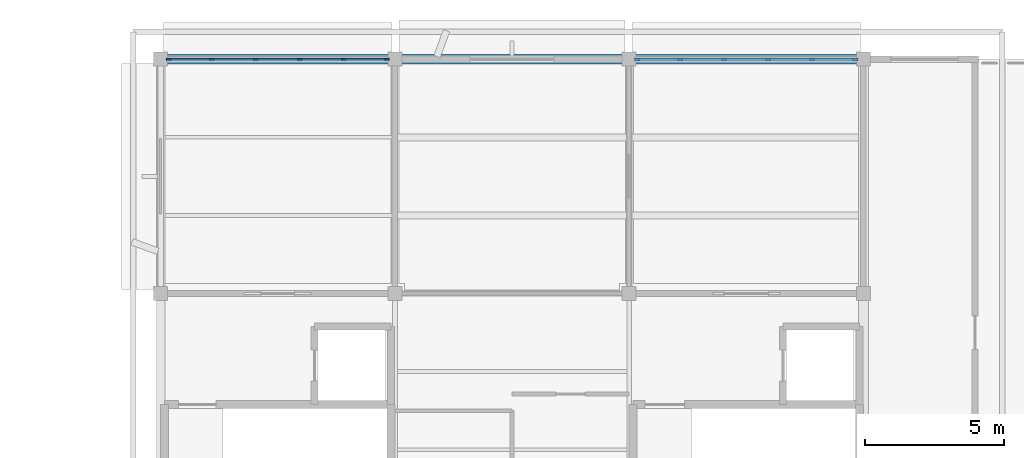
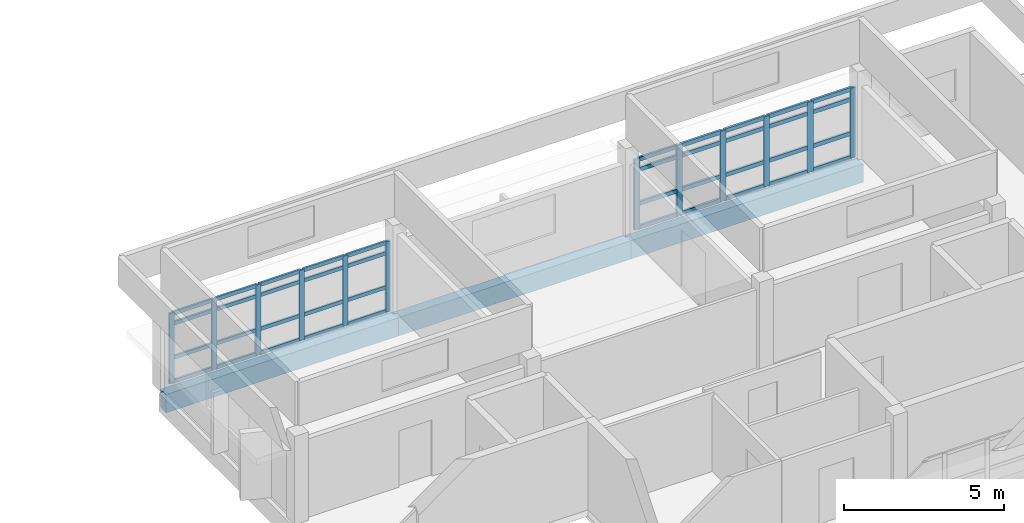
# One storey, part 5 of 14: 52 members, 3 beams, 2 elements without a shape of their own.
"""IFC4 building model written with IfcOpenShell, lengths in metres."""

import ifcopenshell
import ifcopenshell.guid

model = None  # the IFC model being written
_history = None  # IfcOwnerHistory: only IFC2X3 demands one
_inside = {}  # id of a spatial element -> (the spatial element, [elements in it])
_under = {}  # id of a project, library or spatial element -> (it, [spatial elements below it])
_declared = {}  # id of a project -> (the project, [libraries it declares])
_typed = {}  # id of a type object -> (the type object, [elements of that type])
_made_of = {}  # id of a material, layer set ... -> (it, [elements and type objects made of it])


def new_model(schema):
    """Start an empty IFC model of exactly this schema.

    Asked for "IFC4X3", IfcOpenShell would pick the latest addendum, in which some entities
    have other attributes; the version numbers below select the first issue.
    IFC2X3 requires an IfcOwnerHistory on every rooted entity: one is made here for all.
    """
    global model, _history
    if schema == "IFC4X3":
        model = ifcopenshell.file(schema_version=(4, 3, 0, 0))
    else:
        model = ifcopenshell.file(schema=schema)
    _inside.clear()
    _under.clear()
    _declared.clear()
    _typed.clear()
    _made_of.clear()
    _history = None
    if model.schema == "IFC2X3":
        org = make("IfcOrganization", Name="unknown")
        user = make(
            "IfcPersonAndOrganization",
            ThePerson=make("IfcPerson", FamilyName="unknown"),
            TheOrganization=org,
        )
        app = make(
            "IfcApplication",
            ApplicationDeveloper=org,
            Version="unknown",
            ApplicationFullName="unknown",
            ApplicationIdentifier="unknown",
        )
        _history = make(
            "IfcOwnerHistory",
            OwningUser=user,
            OwningApplication=app,
            ChangeAction="ADDED",
            CreationDate=0,
        )
    return model


def make(cls, **values):
    """One entity of the class cls with the attributes given. An attribute that is None is left unset."""
    return model.create_entity(
        cls, **{name: value for name, value in values.items() if value is not None}
    )


def rooted(cls, **values):
    """An entity with a GlobalId (a new one), such as an element, a storey or a relation."""
    return make(cls, GlobalId=ifcopenshell.guid.new(), OwnerHistory=_history, **values)


def si_unit(unit_type, name, prefix=None):
    """IfcSIUnit, for example si_unit("LENGTHUNIT", "METRE", prefix="MILLI")."""
    return make("IfcSIUnit", UnitType=unit_type, Prefix=prefix, Name=name)


def assignment(units):
    """IfcUnitAssignment: the units of a project."""
    return None if units is None else make("IfcUnitAssignment", Units=units)


def point(xyz):
    """IfcCartesianPoint."""
    return None if xyz is None else make("IfcCartesianPoint", Coordinates=xyz)


def direction(xyz):
    """IfcDirection."""
    return None if xyz is None else make("IfcDirection", DirectionRatios=xyz)


def frame(location, z_axis=None, x_axis=None):
    """IfcAxis2Placement3D, a coordinate frame: its origin and axes. An axis left out is left unset."""
    return make(
        "IfcAxis2Placement3D",
        Location=point(location),
        Axis=direction(z_axis),
        RefDirection=direction(x_axis),
    )


def frame_2d(location, x_axis=None):
    """IfcAxis2Placement2D, a coordinate frame in the plane: its origin and x axis."""
    return make(
        "IfcAxis2Placement2D", Location=point(location), RefDirection=direction(x_axis)
    )


def origin():
    """The frame at (0, 0, 0) with its axes left unset."""
    return frame((0.0, 0.0, 0.0))


def origin_2d():
    """The frame at (0, 0) in the plane with its x axis left unset."""
    return frame_2d((0.0, 0.0))


def place(relative_to, where):
    """IfcLocalPlacement: puts the frame where relative to a parent placement (None: the world)."""
    return make(
        "IfcLocalPlacement", PlacementRelTo=relative_to, RelativePlacement=where
    )


def context(
    kind, dimensions, precision=None, world=None, true_north=None, identifier=None
):
    """IfcGeometricRepresentationContext, for example the 3D "Model" context."""
    return make(
        "IfcGeometricRepresentationContext",
        ContextIdentifier=identifier,
        ContextType=kind,
        CoordinateSpaceDimension=dimensions,
        Precision=precision,
        WorldCoordinateSystem=world,
        TrueNorth=true_north,
    )


def subcontext(parent, identifier, kind, view, scale=None):
    """IfcGeometricRepresentationSubContext, for example "Body" below "Model"."""
    return make(
        "IfcGeometricRepresentationSubContext",
        ContextIdentifier=identifier,
        ContextType=kind,
        ParentContext=parent,
        TargetScale=scale,
        TargetView=view,
    )


def project(units=None, contexts=None):
    """IfcProject with its units and contexts."""
    return rooted(
        "IfcProject",
        Name="project",
        RepresentationContexts=contexts,
        UnitsInContext=assignment(units),
    )


def spatial(cls, under=None, at=None, **own):
    """A site, building, storey or space (cls), placed at a placement, below another one or the project."""
    s = rooted(cls, ObjectPlacement=at, **own)
    if under is not None:
        _under.setdefault(under.id(), (under, []))[1].append(s)
    return s


def profile(cls, at=None, kind="AREA", **sizes):
    """A parametric profile (cls). Its sizes go by their IFC names, for example OverallWidth=200.0."""
    return make(cls, ProfileType=kind, Position=at, **sizes)


def rectangle(**sizes):
    """IfcRectangleProfileDef."""
    return profile("IfcRectangleProfileDef", **sizes)


def extrude(swept, where, along, depth):
    """IfcExtrudedAreaSolid: the profile swept, set in the frame where, extruded along a direction by depth."""
    return make(
        "IfcExtrudedAreaSolid",
        SweptArea=swept,
        Position=where,
        ExtrudedDirection=direction(along),
        Depth=depth,
    )


def shape(context_of_items, identifier, shape_type, items):
    """IfcShapeRepresentation: the items that make up one representation, for example the "Body"."""
    return make(
        "IfcShapeRepresentation",
        ContextOfItems=context_of_items,
        RepresentationIdentifier=identifier,
        RepresentationType=shape_type,
        Items=items,
    )


def material(Name=None, Category=None):
    """IfcMaterial."""
    return make("IfcMaterial", Name=Name, Category=Category)


def material_profile(
    of_material, cross_section, Name=None, Category=None, Priority=None
):
    """IfcMaterialProfile: a cross section and its material."""
    return make(
        "IfcMaterialProfile",
        Name=Name,
        Material=of_material,
        Profile=cross_section,
        Priority=Priority,
        Category=Category,
    )


def profile_set(profiles, Name=None, composite=None):
    """IfcMaterialProfileSet."""
    return make(
        "IfcMaterialProfileSet",
        Name=Name,
        MaterialProfiles=profiles,
        CompositeProfile=composite,
    )


def made_of(thing, what):
    """Note that an element or type object is made of a material, layer set ...; save() writes the relation."""
    if what is not None:
        _made_of.setdefault(what.id(), (what, []))[1].append(thing)
    return thing


def type_object(cls, material=None, **own):
    """A type object (cls), such as IfcWallType, which elements share."""
    return made_of(rooted(cls, **own), material)


def element(
    cls,
    number,
    at=None,
    inside=None,
    cuts=None,
    type_object=None,
    material=None,
    context=None,
    identifier="Body",
    shape_type=None,
    held_by="IfcProductDefinitionShape",
    body=None,
    shapes=None,
    **own,
):
    """One element of the class cls, such as IfcWall. Its Tag is "e" and its number.

    at: its placement. inside: the storey or other place that contains it. cuts: it is an
    opening in that element (IfcRelVoidsElement). A single representation is given by context,
    identifier, shape_type and body (its items); several are given by shapes. held_by: the class
    of the entity that holds the representations. save() writes the other relations.
    """
    e = rooted(cls, Tag="e%d" % number, ObjectPlacement=at, **own)
    if body is not None:
        shapes = [shape(context, identifier, shape_type, body)]
    if shapes is not None:
        e.Representation = make(held_by, Representations=shapes)
    if inside is not None:
        _inside.setdefault(inside.id(), (inside, []))[1].append(e)
    if cuts is not None:
        rooted(
            "IfcRelVoidsElement", RelatingBuildingElement=cuts, RelatedOpeningElement=e
        )
    if type_object is not None:
        _typed.setdefault(type_object.id(), (type_object, []))[1].append(e)
    return made_of(e, material)


def aggregate(whole, parts):
    """IfcRelAggregates: a whole, such as a stair, and the parts it consists of."""
    return rooted("IfcRelAggregates", RelatingObject=whole, RelatedObjects=parts)


def save(model, path):
    """Write the relations noted so far, then the file.

    IfcRelAggregates (storeys below a building ...), IfcRelContainedInSpatialStructure (elements
    in a storey), IfcRelDefinesByType, IfcRelAssociatesMaterial and IfcRelDeclares: one each for
    every whole, place, type object, material and project.
    """
    for whole, parts in _under.values():
        aggregate(whole, parts)
    for where, things in _inside.values():
        rooted(
            "IfcRelContainedInSpatialStructure",
            RelatedElements=things,
            RelatingStructure=where,
        )
    for kind, things in _typed.values():
        rooted("IfcRelDefinesByType", RelatedObjects=things, RelatingType=kind)
    for what, things in _made_of.values():
        rooted("IfcRelAssociatesMaterial", RelatedObjects=things, RelatingMaterial=what)
    for by, libraries in _declared.values():
        rooted("IfcRelDeclares", RelatingContext=by, RelatedDefinitions=libraries)
    model.write(path)


model = new_model("IFC4")

# Units and contexts
model_context = context("Model", 3, precision=1e-05, world=origin(), true_north=direction((0.0, 1.0)))
body_context = subcontext(model_context, "Body", "Model", "MODEL_VIEW")
ifc_project = project(units=[si_unit("LENGTHUNIT", "METRE"), si_unit("AREAUNIT", "SQUARE_METRE"), si_unit("VOLUMEUNIT", "CUBIC_METRE"), si_unit("PLANEANGLEUNIT", "RADIAN"), si_unit("MASSUNIT", "GRAM", prefix="KILO")], contexts=[model_context])

# Site, building, storey
site_placement = place(None, origin())
site = spatial("IfcSite", under=ifc_project, at=site_placement, CompositionType="ELEMENT")
building_placement = place(site_placement, origin())
building = spatial("IfcBuilding", under=site, at=building_placement, Name="Vanh Quang Courtyard School", CompositionType="ELEMENT")
storey_placement = place(building_placement, frame((0.0, 0.0, 22.199951171875)))
storey = spatial("IfcBuildingStorey", under=building, at=storey_placement, Name="L06", CompositionType="ELEMENT", Elevation=22.199951171875)

# Beams
ifc_material_1 = material(Name="Concrete C35/45", Category="concrete")
ifc_material_profile_1 = material_profile(ifc_material_1, rectangle(XDim=0.35009765625, YDim=0.699951171875, at=origin_2d()), Name="RC-BM 350x700")
ifc_profile_set_1 = profile_set([ifc_material_profile_1], Name="Concrete C35/45")
beam_type = type_object("IfcBeamType", Name="BM-RC-350x700", PredefinedType="BEAM", material=ifc_profile_set_1)
beam_1_placement = place(storey_placement, frame((77.39990234375, 96.60009765625, -0.599853515625), z_axis=(1.0, 0.0, 0.0), x_axis=(0.0, 1.0, 0.0)))
element("IfcBeam", 1, at=beam_1_placement, inside=storey, type_object=beam_type, Name="Beam B-04 (L06)", PredefinedType="BEAM", context=body_context, shape_type="SweptSolid", body=[
    extrude(rectangle(XDim=0.35009765625, YDim=0.699951171875, at=origin_2d()), origin(), (0.0, 0.0, 1.0), 8.400146484375),
])
beam_2_placement = place(storey_placement, frame((85.800048828125, 96.60009765625, -0.599853515625), z_axis=(1.0, 0.0, 0.0), x_axis=(0.0, 1.0, 0.0)))
element("IfcBeam", 2, at=beam_2_placement, inside=storey, type_object=beam_type, Name="Beam B-04 (L06)", PredefinedType="BEAM", context=body_context, shape_type="SweptSolid", body=[
    extrude(rectangle(XDim=0.35009765625, YDim=0.699951171875, at=origin_2d()), origin(), (0.0, 0.0, 1.0), 8.39990234375),
])
beam_3_placement = place(storey_placement, frame((94.199951171875, 96.60009765625, -0.599853515625), z_axis=(1.0, 0.0, 0.0), x_axis=(0.0, 1.0, 0.0)))
element("IfcBeam", 3, at=beam_3_placement, inside=storey, type_object=beam_type, Name="Beam B-04 (L06)", PredefinedType="BEAM", context=body_context, shape_type="SweptSolid", body=[
    extrude(rectangle(XDim=0.35009765625, YDim=0.699951171875, at=origin_2d()), origin(), (0.0, 0.0, 1.0), 8.400146484375),
])

# Curtain wall, members
ifc_material_2 = material(Name="Thermally broken aluminium unitised curtain wall", Category="aluminium")
curtain_wall_type = type_object("IfcCurtainWallType", Name="CW-SYS-23", PredefinedType="NOTDEFINED", material=ifc_material_2)
curtain_wall_1_placement = place(storey_placement, origin())
curtain_wall_1 = element("IfcCurtainWall", 4, at=curtain_wall_1_placement, inside=storey, type_object=curtain_wall_type, Name="Curtain Wall CW-23 (L06)", PredefinedType="NOTDEFINED")
ifc_material_3 = material(Name="Anodised aluminium 6063-T6", Category="aluminium")
ifc_material_profile_2 = material_profile(ifc_material_3, rectangle(XDim=0.070068359375, YDim=0.179931640625, at=origin_2d()), Name="ALU-MUL 70x180")
ifc_profile_set_2 = profile_set([ifc_material_profile_2], Name="Anodised aluminium 6063-T6")
member_type_1 = type_object("IfcMemberType", Name="CW-MUL-70x180", PredefinedType="MULLION", material=ifc_profile_set_2)
member_1_placement = place(storey_placement, frame((77.693115234375, 96.60009765625, 0.0), z_axis=(0.0, 0.0, 1.0), x_axis=(0.0, 1.0, 0.0)))
member_1 = element("IfcMember", 5, at=member_1_placement, type_object=member_type_1, Name="CW-23 mullion 1", PredefinedType="MULLION", context=body_context, shape_type="SweptSolid", body=[
    extrude(rectangle(XDim=0.070068359375, YDim=0.179931640625, at=origin_2d()), origin(), (0.0, 0.0, 1.0), 2.679931640625),
])
member_2_placement = place(storey_placement, frame((79.23486328125, 96.60009765625, 0.0), z_axis=(0.0, 0.0, 1.0), x_axis=(0.0, 1.0, 0.0)))
member_2 = element("IfcMember", 6, at=member_2_placement, type_object=member_type_1, Name="CW-23 mullion 2", PredefinedType="MULLION", context=body_context, shape_type="SweptSolid", body=[
    extrude(rectangle(XDim=0.070068359375, YDim=0.179931640625, at=origin_2d()), origin(), (0.0, 0.0, 1.0), 2.679931640625),
])
member_3_placement = place(storey_placement, frame((80.8115234375, 96.60009765625, 0.0), z_axis=(0.0, 0.0, 1.0), x_axis=(0.0, 1.0, 0.0)))
member_3 = element("IfcMember", 7, at=member_3_placement, type_object=member_type_1, Name="CW-23 mullion 3", PredefinedType="MULLION", context=body_context, shape_type="SweptSolid", body=[
    extrude(rectangle(XDim=0.070068359375, YDim=0.179931640625, at=origin_2d()), origin(), (0.0, 0.0, 1.0), 2.679931640625),
])
member_4_placement = place(storey_placement, frame((82.388427734375, 96.60009765625, 0.0), z_axis=(0.0, 0.0, 1.0), x_axis=(0.0, 1.0, 0.0)))
member_4 = element("IfcMember", 8, at=member_4_placement, type_object=member_type_1, Name="CW-23 mullion 4", PredefinedType="MULLION", context=body_context, shape_type="SweptSolid", body=[
    extrude(rectangle(XDim=0.070068359375, YDim=0.179931640625, at=origin_2d()), origin(), (0.0, 0.0, 1.0), 2.679931640625),
])
member_5_placement = place(storey_placement, frame((83.965087890625, 96.60009765625, 0.0), z_axis=(0.0, 0.0, 1.0), x_axis=(0.0, 1.0, 0.0)))
member_5 = element("IfcMember", 9, at=member_5_placement, type_object=member_type_1, Name="CW-23 mullion 5", PredefinedType="MULLION", context=body_context, shape_type="SweptSolid", body=[
    extrude(rectangle(XDim=0.070068359375, YDim=0.179931640625, at=origin_2d()), origin(), (0.0, 0.0, 1.0), 2.679931640625),
])
member_6_placement = place(storey_placement, frame((85.507080078125, 96.60009765625, 0.0), z_axis=(0.0, 0.0, 1.0), x_axis=(0.0, 1.0, 0.0)))
member_6 = element("IfcMember", 10, at=member_6_placement, type_object=member_type_1, Name="CW-23 mullion 6", PredefinedType="MULLION", context=body_context, shape_type="SweptSolid", body=[
    extrude(rectangle(XDim=0.070068359375, YDim=0.179931640625, at=origin_2d()), origin(), (0.0, 0.0, 1.0), 2.679931640625),
])

curtain_wall_2_placement = place(storey_placement, origin())
curtain_wall_2 = element("IfcCurtainWall", 11, at=curtain_wall_2_placement, inside=storey, type_object=curtain_wall_type, Name="Curtain Wall CW-23 (L06)", PredefinedType="NOTDEFINED")
ifc_material_profile_3 = material_profile(ifc_material_3, rectangle(XDim=0.080078125, YDim=0.199951171875, at=origin_2d()), Name="ALU-MUL 80x200")
ifc_profile_set_3 = profile_set([ifc_material_profile_3], Name="Anodised aluminium 6063-T6")
member_type_2 = type_object("IfcMemberType", Name="CW-MUL-80x200", PredefinedType="MULLION", material=ifc_profile_set_3)
member_7_placement = place(storey_placement, frame((94.498046875, 96.60009765625, 0.0), z_axis=(0.0, 0.0, 1.0), x_axis=(0.0, 1.0, 0.0)))
member_7 = element("IfcMember", 12, at=member_7_placement, type_object=member_type_2, Name="CW-23 mullion 1", PredefinedType="MULLION", context=body_context, shape_type="SweptSolid", body=[
    extrude(rectangle(XDim=0.080078125, YDim=0.199951171875, at=origin_2d()), origin(), (0.0, 0.0, 1.0), 2.679931640625),
])
member_8_placement = place(storey_placement, frame((96.034912109375, 96.60009765625, 0.0), z_axis=(0.0, 0.0, 1.0), x_axis=(0.0, 1.0, 0.0)))
member_8 = element("IfcMember", 13, at=member_8_placement, type_object=member_type_2, Name="CW-23 mullion 2", PredefinedType="MULLION", context=body_context, shape_type="SweptSolid", body=[
    extrude(rectangle(XDim=0.080078125, YDim=0.199951171875, at=origin_2d()), origin(), (0.0, 0.0, 1.0), 2.679931640625),
])
member_9_placement = place(storey_placement, frame((97.611572265625, 96.60009765625, 0.0), z_axis=(0.0, 0.0, 1.0), x_axis=(0.0, 1.0, 0.0)))
member_9 = element("IfcMember", 14, at=member_9_placement, type_object=member_type_2, Name="CW-23 mullion 3", PredefinedType="MULLION", context=body_context, shape_type="SweptSolid", body=[
    extrude(rectangle(XDim=0.080078125, YDim=0.199951171875, at=origin_2d()), origin(), (0.0, 0.0, 1.0), 2.679931640625),
])
member_10_placement = place(storey_placement, frame((99.1884765625, 96.60009765625, 0.0), z_axis=(0.0, 0.0, 1.0), x_axis=(0.0, 1.0, 0.0)))
member_10 = element("IfcMember", 15, at=member_10_placement, type_object=member_type_2, Name="CW-23 mullion 4", PredefinedType="MULLION", context=body_context, shape_type="SweptSolid", body=[
    extrude(rectangle(XDim=0.080078125, YDim=0.199951171875, at=origin_2d()), origin(), (0.0, 0.0, 1.0), 2.679931640625),
])
member_11_placement = place(storey_placement, frame((100.76513671875, 96.60009765625, 0.0), z_axis=(0.0, 0.0, 1.0), x_axis=(0.0, 1.0, 0.0)))
member_11 = element("IfcMember", 16, at=member_11_placement, type_object=member_type_2, Name="CW-23 mullion 5", PredefinedType="MULLION", context=body_context, shape_type="SweptSolid", body=[
    extrude(rectangle(XDim=0.080078125, YDim=0.199951171875, at=origin_2d()), origin(), (0.0, 0.0, 1.0), 2.679931640625),
])
member_12_placement = place(storey_placement, frame((102.302001953125, 96.60009765625, 0.0), z_axis=(0.0, 0.0, 1.0), x_axis=(0.0, 1.0, 0.0)))
member_12 = element("IfcMember", 17, at=member_12_placement, type_object=member_type_2, Name="CW-23 mullion 6", PredefinedType="MULLION", context=body_context, shape_type="SweptSolid", body=[
    extrude(rectangle(XDim=0.080078125, YDim=0.199951171875, at=origin_2d()), origin(), (0.0, 0.0, 1.0), 2.679931640625),
])

# Member
ifc_material_profile_4 = material_profile(ifc_material_3, rectangle(XDim=0.070068359375, YDim=0.139892578125, at=origin_2d()), Name="ALU-TRN 70x140")
ifc_profile_set_4 = profile_set([ifc_material_profile_4], Name="Anodised aluminium 6063-T6")
member_type_3 = type_object("IfcMemberType", Name="CW-TRN-70x140", PredefinedType="USERDEFINED", material=ifc_profile_set_4)
member_13_placement = place(storey_placement, frame((77.72802734375, 96.60009765625, 0.03515625), z_axis=(1.0, 0.0, 0.0), x_axis=(0.0, 1.0, 0.0)))
member_13 = element("IfcMember", 18, at=member_13_placement, type_object=member_type_3, Name="CW-23 transom 1.1", ObjectType="TRANSOM", PredefinedType="USERDEFINED", context=body_context, shape_type="SweptSolid", body=[
    extrude(rectangle(XDim=0.070068359375, YDim=0.139892578125, at=origin_2d()), origin(), (0.0, 0.0, 1.0), 1.4716796875),
])

member_14_placement = place(storey_placement, frame((77.72802734375, 96.60009765625, 0.949951171875), z_axis=(1.0, 0.0, 0.0), x_axis=(0.0, 1.0, 0.0)))
member_14 = element("IfcMember", 19, at=member_14_placement, type_object=member_type_3, Name="CW-23 transom 1.2", ObjectType="TRANSOM", PredefinedType="USERDEFINED", context=body_context, shape_type="SweptSolid", body=[
    extrude(rectangle(XDim=0.070068359375, YDim=0.139892578125, at=origin_2d()), origin(), (0.0, 0.0, 1.0), 1.4716796875),
])

member_15_placement = place(storey_placement, frame((77.72802734375, 96.60009765625, 2.25), z_axis=(1.0, 0.0, 0.0), x_axis=(0.0, 1.0, 0.0)))
member_15 = element("IfcMember", 20, at=member_15_placement, type_object=member_type_3, Name="CW-23 transom 1.3", ObjectType="TRANSOM", PredefinedType="USERDEFINED", context=body_context, shape_type="SweptSolid", body=[
    extrude(rectangle(XDim=0.070068359375, YDim=0.139892578125, at=origin_2d()), origin(), (0.0, 0.0, 1.0), 1.4716796875),
])

member_16_placement = place(storey_placement, frame((77.72802734375, 96.60009765625, 2.64501953125), z_axis=(1.0, 0.0, 0.0), x_axis=(0.0, 1.0, 0.0)))
member_16 = element("IfcMember", 21, at=member_16_placement, type_object=member_type_3, Name="CW-23 transom 1.4", ObjectType="TRANSOM", PredefinedType="USERDEFINED", context=body_context, shape_type="SweptSolid", body=[
    extrude(rectangle(XDim=0.070068359375, YDim=0.139892578125, at=origin_2d()), origin(), (0.0, 0.0, 1.0), 1.4716796875),
])

member_17_placement = place(storey_placement, frame((79.269775390625, 96.60009765625, 0.03515625), z_axis=(1.0, 0.0, 0.0), x_axis=(0.0, 1.0, 0.0)))
member_17 = element("IfcMember", 22, at=member_17_placement, type_object=member_type_3, Name="CW-23 transom 2.1", ObjectType="TRANSOM", PredefinedType="USERDEFINED", context=body_context, shape_type="SweptSolid", body=[
    extrude(rectangle(XDim=0.070068359375, YDim=0.139892578125, at=origin_2d()), origin(), (0.0, 0.0, 1.0), 1.5068359375),
])

member_18_placement = place(storey_placement, frame((79.269775390625, 96.60009765625, 0.949951171875), z_axis=(1.0, 0.0, 0.0), x_axis=(0.0, 1.0, 0.0)))
member_18 = element("IfcMember", 23, at=member_18_placement, type_object=member_type_3, Name="CW-23 transom 2.2", ObjectType="TRANSOM", PredefinedType="USERDEFINED", context=body_context, shape_type="SweptSolid", body=[
    extrude(rectangle(XDim=0.070068359375, YDim=0.139892578125, at=origin_2d()), origin(), (0.0, 0.0, 1.0), 1.5068359375),
])

member_19_placement = place(storey_placement, frame((79.269775390625, 96.60009765625, 2.25), z_axis=(1.0, 0.0, 0.0), x_axis=(0.0, 1.0, 0.0)))
member_19 = element("IfcMember", 24, at=member_19_placement, type_object=member_type_3, Name="CW-23 transom 2.3", ObjectType="TRANSOM", PredefinedType="USERDEFINED", context=body_context, shape_type="SweptSolid", body=[
    extrude(rectangle(XDim=0.070068359375, YDim=0.139892578125, at=origin_2d()), origin(), (0.0, 0.0, 1.0), 1.5068359375),
])

member_20_placement = place(storey_placement, frame((79.269775390625, 96.60009765625, 2.64501953125), z_axis=(1.0, 0.0, 0.0), x_axis=(0.0, 1.0, 0.0)))
member_20 = element("IfcMember", 25, at=member_20_placement, type_object=member_type_3, Name="CW-23 transom 2.4", ObjectType="TRANSOM", PredefinedType="USERDEFINED", context=body_context, shape_type="SweptSolid", body=[
    extrude(rectangle(XDim=0.070068359375, YDim=0.139892578125, at=origin_2d()), origin(), (0.0, 0.0, 1.0), 1.5068359375),
])

member_21_placement = place(storey_placement, frame((80.8466796875, 96.60009765625, 0.03515625), z_axis=(1.0, 0.0, 0.0), x_axis=(0.0, 1.0, 0.0)))
member_21 = element("IfcMember", 26, at=member_21_placement, type_object=member_type_3, Name="CW-23 transom 3.1", ObjectType="TRANSOM", PredefinedType="USERDEFINED", context=body_context, shape_type="SweptSolid", body=[
    extrude(rectangle(XDim=0.070068359375, YDim=0.139892578125, at=origin_2d()), origin(), (0.0, 0.0, 1.0), 1.5068359375),
])

member_22_placement = place(storey_placement, frame((80.8466796875, 96.60009765625, 0.949951171875), z_axis=(1.0, 0.0, 0.0), x_axis=(0.0, 1.0, 0.0)))
member_22 = element("IfcMember", 27, at=member_22_placement, type_object=member_type_3, Name="CW-23 transom 3.2", ObjectType="TRANSOM", PredefinedType="USERDEFINED", context=body_context, shape_type="SweptSolid", body=[
    extrude(rectangle(XDim=0.070068359375, YDim=0.139892578125, at=origin_2d()), origin(), (0.0, 0.0, 1.0), 1.5068359375),
])

member_23_placement = place(storey_placement, frame((80.8466796875, 96.60009765625, 2.25), z_axis=(1.0, 0.0, 0.0), x_axis=(0.0, 1.0, 0.0)))
member_23 = element("IfcMember", 28, at=member_23_placement, type_object=member_type_3, Name="CW-23 transom 3.3", ObjectType="TRANSOM", PredefinedType="USERDEFINED", context=body_context, shape_type="SweptSolid", body=[
    extrude(rectangle(XDim=0.070068359375, YDim=0.139892578125, at=origin_2d()), origin(), (0.0, 0.0, 1.0), 1.5068359375),
])

member_24_placement = place(storey_placement, frame((80.8466796875, 96.60009765625, 2.64501953125), z_axis=(1.0, 0.0, 0.0), x_axis=(0.0, 1.0, 0.0)))
member_24 = element("IfcMember", 29, at=member_24_placement, type_object=member_type_3, Name="CW-23 transom 3.4", ObjectType="TRANSOM", PredefinedType="USERDEFINED", context=body_context, shape_type="SweptSolid", body=[
    extrude(rectangle(XDim=0.070068359375, YDim=0.139892578125, at=origin_2d()), origin(), (0.0, 0.0, 1.0), 1.5068359375),
])

member_25_placement = place(storey_placement, frame((82.42333984375, 96.60009765625, 0.03515625), z_axis=(1.0, 0.0, 0.0), x_axis=(0.0, 1.0, 0.0)))
member_25 = element("IfcMember", 30, at=member_25_placement, type_object=member_type_3, Name="CW-23 transom 4.1", ObjectType="TRANSOM", PredefinedType="USERDEFINED", context=body_context, shape_type="SweptSolid", body=[
    extrude(rectangle(XDim=0.070068359375, YDim=0.139892578125, at=origin_2d()), origin(), (0.0, 0.0, 1.0), 1.5068359375),
])

member_26_placement = place(storey_placement, frame((82.42333984375, 96.60009765625, 0.949951171875), z_axis=(1.0, 0.0, 0.0), x_axis=(0.0, 1.0, 0.0)))
member_26 = element("IfcMember", 31, at=member_26_placement, type_object=member_type_3, Name="CW-23 transom 4.2", ObjectType="TRANSOM", PredefinedType="USERDEFINED", context=body_context, shape_type="SweptSolid", body=[
    extrude(rectangle(XDim=0.070068359375, YDim=0.139892578125, at=origin_2d()), origin(), (0.0, 0.0, 1.0), 1.5068359375),
])

member_27_placement = place(storey_placement, frame((82.42333984375, 96.60009765625, 2.25), z_axis=(1.0, 0.0, 0.0), x_axis=(0.0, 1.0, 0.0)))
member_27 = element("IfcMember", 32, at=member_27_placement, type_object=member_type_3, Name="CW-23 transom 4.3", ObjectType="TRANSOM", PredefinedType="USERDEFINED", context=body_context, shape_type="SweptSolid", body=[
    extrude(rectangle(XDim=0.070068359375, YDim=0.139892578125, at=origin_2d()), origin(), (0.0, 0.0, 1.0), 1.5068359375),
])

member_28_placement = place(storey_placement, frame((82.42333984375, 96.60009765625, 2.64501953125), z_axis=(1.0, 0.0, 0.0), x_axis=(0.0, 1.0, 0.0)))
member_28 = element("IfcMember", 33, at=member_28_placement, type_object=member_type_3, Name="CW-23 transom 4.4", ObjectType="TRANSOM", PredefinedType="USERDEFINED", context=body_context, shape_type="SweptSolid", body=[
    extrude(rectangle(XDim=0.070068359375, YDim=0.139892578125, at=origin_2d()), origin(), (0.0, 0.0, 1.0), 1.5068359375),
])

member_29_placement = place(storey_placement, frame((84.000244140625, 96.60009765625, 0.03515625), z_axis=(1.0, 0.0, 0.0), x_axis=(0.0, 1.0, 0.0)))
member_29 = element("IfcMember", 34, at=member_29_placement, type_object=member_type_3, Name="CW-23 transom 5.1", ObjectType="TRANSOM", PredefinedType="USERDEFINED", context=body_context, shape_type="SweptSolid", body=[
    extrude(rectangle(XDim=0.070068359375, YDim=0.139892578125, at=origin_2d()), origin(), (0.0, 0.0, 1.0), 1.4716796875),
])

member_30_placement = place(storey_placement, frame((84.000244140625, 96.60009765625, 0.949951171875), z_axis=(1.0, 0.0, 0.0), x_axis=(0.0, 1.0, 0.0)))
member_30 = element("IfcMember", 35, at=member_30_placement, type_object=member_type_3, Name="CW-23 transom 5.2", ObjectType="TRANSOM", PredefinedType="USERDEFINED", context=body_context, shape_type="SweptSolid", body=[
    extrude(rectangle(XDim=0.070068359375, YDim=0.139892578125, at=origin_2d()), origin(), (0.0, 0.0, 1.0), 1.4716796875),
])

member_31_placement = place(storey_placement, frame((84.000244140625, 96.60009765625, 2.25), z_axis=(1.0, 0.0, 0.0), x_axis=(0.0, 1.0, 0.0)))
member_31 = element("IfcMember", 36, at=member_31_placement, type_object=member_type_3, Name="CW-23 transom 5.3", ObjectType="TRANSOM", PredefinedType="USERDEFINED", context=body_context, shape_type="SweptSolid", body=[
    extrude(rectangle(XDim=0.070068359375, YDim=0.139892578125, at=origin_2d()), origin(), (0.0, 0.0, 1.0), 1.4716796875),
])

member_32_placement = place(storey_placement, frame((84.000244140625, 96.60009765625, 2.64501953125), z_axis=(1.0, 0.0, 0.0), x_axis=(0.0, 1.0, 0.0)))
member_32 = element("IfcMember", 37, at=member_32_placement, type_object=member_type_3, Name="CW-23 transom 5.4", ObjectType="TRANSOM", PredefinedType="USERDEFINED", context=body_context, shape_type="SweptSolid", body=[
    extrude(rectangle(XDim=0.070068359375, YDim=0.139892578125, at=origin_2d()), origin(), (0.0, 0.0, 1.0), 1.4716796875),
])

aggregate(curtain_wall_1, [member_1, member_2, member_3, member_4, member_5, member_6, member_13, member_14, member_15, member_16, member_17, member_18, member_19, member_20, member_21, member_22, member_23, member_24, member_25, member_26, member_27, member_28, member_29, member_30, member_31, member_32])

ifc_material_profile_5 = material_profile(ifc_material_3, rectangle(XDim=0.080078125, YDim=0.14990234375, at=origin_2d()), Name="ALU-TRN 80x150")
ifc_profile_set_5 = profile_set([ifc_material_profile_5], Name="Anodised aluminium 6063-T6")
member_type_4 = type_object("IfcMemberType", Name="CW-TRN-80x150", PredefinedType="USERDEFINED", material=ifc_profile_set_5)
member_33_placement = place(storey_placement, frame((94.5380859375, 96.60009765625, 0.0400390625), z_axis=(1.0, 0.0, 0.0), x_axis=(0.0, 1.0, 0.0)))
member_33 = element("IfcMember", 38, at=member_33_placement, type_object=member_type_4, Name="CW-23 transom 1.1", ObjectType="TRANSOM", PredefinedType="USERDEFINED", context=body_context, shape_type="SweptSolid", body=[
    extrude(rectangle(XDim=0.080078125, YDim=0.14990234375, at=origin_2d()), origin(), (0.0, 0.0, 1.0), 1.456787109375),
])

member_34_placement = place(storey_placement, frame((94.5380859375, 96.60009765625, 0.949951171875), z_axis=(1.0, 0.0, 0.0), x_axis=(0.0, 1.0, 0.0)))
member_34 = element("IfcMember", 39, at=member_34_placement, type_object=member_type_4, Name="CW-23 transom 1.2", ObjectType="TRANSOM", PredefinedType="USERDEFINED", context=body_context, shape_type="SweptSolid", body=[
    extrude(rectangle(XDim=0.080078125, YDim=0.14990234375, at=origin_2d()), origin(), (0.0, 0.0, 1.0), 1.456787109375),
])

member_35_placement = place(storey_placement, frame((94.5380859375, 96.60009765625, 2.25), z_axis=(1.0, 0.0, 0.0), x_axis=(0.0, 1.0, 0.0)))
member_35 = element("IfcMember", 40, at=member_35_placement, type_object=member_type_4, Name="CW-23 transom 1.3", ObjectType="TRANSOM", PredefinedType="USERDEFINED", context=body_context, shape_type="SweptSolid", body=[
    extrude(rectangle(XDim=0.080078125, YDim=0.14990234375, at=origin_2d()), origin(), (0.0, 0.0, 1.0), 1.456787109375),
])

member_36_placement = place(storey_placement, frame((94.5380859375, 96.60009765625, 2.64013671875), z_axis=(1.0, 0.0, 0.0), x_axis=(0.0, 1.0, 0.0)))
member_36 = element("IfcMember", 41, at=member_36_placement, type_object=member_type_4, Name="CW-23 transom 1.4", ObjectType="TRANSOM", PredefinedType="USERDEFINED", context=body_context, shape_type="SweptSolid", body=[
    extrude(rectangle(XDim=0.080078125, YDim=0.14990234375, at=origin_2d()), origin(), (0.0, 0.0, 1.0), 1.456787109375),
])

member_37_placement = place(storey_placement, frame((96.07470703125, 96.60009765625, 0.0400390625), z_axis=(1.0, 0.0, 0.0), x_axis=(0.0, 1.0, 0.0)))
member_37 = element("IfcMember", 42, at=member_37_placement, type_object=member_type_4, Name="CW-23 transom 2.1", ObjectType="TRANSOM", PredefinedType="USERDEFINED", context=body_context, shape_type="SweptSolid", body=[
    extrude(rectangle(XDim=0.080078125, YDim=0.14990234375, at=origin_2d()), origin(), (0.0, 0.0, 1.0), 1.496826171875),
])

member_38_placement = place(storey_placement, frame((96.07470703125, 96.60009765625, 0.949951171875), z_axis=(1.0, 0.0, 0.0), x_axis=(0.0, 1.0, 0.0)))
member_38 = element("IfcMember", 43, at=member_38_placement, type_object=member_type_4, Name="CW-23 transom 2.2", ObjectType="TRANSOM", PredefinedType="USERDEFINED", context=body_context, shape_type="SweptSolid", body=[
    extrude(rectangle(XDim=0.080078125, YDim=0.14990234375, at=origin_2d()), origin(), (0.0, 0.0, 1.0), 1.496826171875),
])

member_39_placement = place(storey_placement, frame((96.07470703125, 96.60009765625, 2.25), z_axis=(1.0, 0.0, 0.0), x_axis=(0.0, 1.0, 0.0)))
member_39 = element("IfcMember", 44, at=member_39_placement, type_object=member_type_4, Name="CW-23 transom 2.3", ObjectType="TRANSOM", PredefinedType="USERDEFINED", context=body_context, shape_type="SweptSolid", body=[
    extrude(rectangle(XDim=0.080078125, YDim=0.14990234375, at=origin_2d()), origin(), (0.0, 0.0, 1.0), 1.496826171875),
])

member_40_placement = place(storey_placement, frame((96.07470703125, 96.60009765625, 2.64013671875), z_axis=(1.0, 0.0, 0.0), x_axis=(0.0, 1.0, 0.0)))
member_40 = element("IfcMember", 45, at=member_40_placement, type_object=member_type_4, Name="CW-23 transom 2.4", ObjectType="TRANSOM", PredefinedType="USERDEFINED", context=body_context, shape_type="SweptSolid", body=[
    extrude(rectangle(XDim=0.080078125, YDim=0.14990234375, at=origin_2d()), origin(), (0.0, 0.0, 1.0), 1.496826171875),
])

member_41_placement = place(storey_placement, frame((97.651611328125, 96.60009765625, 0.0400390625), z_axis=(1.0, 0.0, 0.0), x_axis=(0.0, 1.0, 0.0)))
member_41 = element("IfcMember", 46, at=member_41_placement, type_object=member_type_4, Name="CW-23 transom 3.1", ObjectType="TRANSOM", PredefinedType="USERDEFINED", context=body_context, shape_type="SweptSolid", body=[
    extrude(rectangle(XDim=0.080078125, YDim=0.14990234375, at=origin_2d()), origin(), (0.0, 0.0, 1.0), 1.496826171875),
])

member_42_placement = place(storey_placement, frame((97.651611328125, 96.60009765625, 0.949951171875), z_axis=(1.0, 0.0, 0.0), x_axis=(0.0, 1.0, 0.0)))
member_42 = element("IfcMember", 47, at=member_42_placement, type_object=member_type_4, Name="CW-23 transom 3.2", ObjectType="TRANSOM", PredefinedType="USERDEFINED", context=body_context, shape_type="SweptSolid", body=[
    extrude(rectangle(XDim=0.080078125, YDim=0.14990234375, at=origin_2d()), origin(), (0.0, 0.0, 1.0), 1.496826171875),
])

member_43_placement = place(storey_placement, frame((97.651611328125, 96.60009765625, 2.25), z_axis=(1.0, 0.0, 0.0), x_axis=(0.0, 1.0, 0.0)))
member_43 = element("IfcMember", 48, at=member_43_placement, type_object=member_type_4, Name="CW-23 transom 3.3", ObjectType="TRANSOM", PredefinedType="USERDEFINED", context=body_context, shape_type="SweptSolid", body=[
    extrude(rectangle(XDim=0.080078125, YDim=0.14990234375, at=origin_2d()), origin(), (0.0, 0.0, 1.0), 1.496826171875),
])

member_44_placement = place(storey_placement, frame((97.651611328125, 96.60009765625, 2.64013671875), z_axis=(1.0, 0.0, 0.0), x_axis=(0.0, 1.0, 0.0)))
member_44 = element("IfcMember", 49, at=member_44_placement, type_object=member_type_4, Name="CW-23 transom 3.4", ObjectType="TRANSOM", PredefinedType="USERDEFINED", context=body_context, shape_type="SweptSolid", body=[
    extrude(rectangle(XDim=0.080078125, YDim=0.14990234375, at=origin_2d()), origin(), (0.0, 0.0, 1.0), 1.496826171875),
])

member_45_placement = place(storey_placement, frame((99.228515625, 96.60009765625, 0.0400390625), z_axis=(1.0, 0.0, 0.0), x_axis=(0.0, 1.0, 0.0)))
member_45 = element("IfcMember", 50, at=member_45_placement, type_object=member_type_4, Name="CW-23 transom 4.1", ObjectType="TRANSOM", PredefinedType="USERDEFINED", context=body_context, shape_type="SweptSolid", body=[
    extrude(rectangle(XDim=0.080078125, YDim=0.14990234375, at=origin_2d()), origin(), (0.0, 0.0, 1.0), 1.49658203125),
])

member_46_placement = place(storey_placement, frame((99.228515625, 96.60009765625, 0.949951171875), z_axis=(1.0, 0.0, 0.0), x_axis=(0.0, 1.0, 0.0)))
member_46 = element("IfcMember", 51, at=member_46_placement, type_object=member_type_4, Name="CW-23 transom 4.2", ObjectType="TRANSOM", PredefinedType="USERDEFINED", context=body_context, shape_type="SweptSolid", body=[
    extrude(rectangle(XDim=0.080078125, YDim=0.14990234375, at=origin_2d()), origin(), (0.0, 0.0, 1.0), 1.49658203125),
])

member_47_placement = place(storey_placement, frame((99.228515625, 96.60009765625, 2.25), z_axis=(1.0, 0.0, 0.0), x_axis=(0.0, 1.0, 0.0)))
member_47 = element("IfcMember", 52, at=member_47_placement, type_object=member_type_4, Name="CW-23 transom 4.3", ObjectType="TRANSOM", PredefinedType="USERDEFINED", context=body_context, shape_type="SweptSolid", body=[
    extrude(rectangle(XDim=0.080078125, YDim=0.14990234375, at=origin_2d()), origin(), (0.0, 0.0, 1.0), 1.49658203125),
])

member_48_placement = place(storey_placement, frame((99.228515625, 96.60009765625, 2.64013671875), z_axis=(1.0, 0.0, 0.0), x_axis=(0.0, 1.0, 0.0)))
member_48 = element("IfcMember", 53, at=member_48_placement, type_object=member_type_4, Name="CW-23 transom 4.4", ObjectType="TRANSOM", PredefinedType="USERDEFINED", context=body_context, shape_type="SweptSolid", body=[
    extrude(rectangle(XDim=0.080078125, YDim=0.14990234375, at=origin_2d()), origin(), (0.0, 0.0, 1.0), 1.49658203125),
])

member_49_placement = place(storey_placement, frame((100.80517578125, 96.60009765625, 0.0400390625), z_axis=(1.0, 0.0, 0.0), x_axis=(0.0, 1.0, 0.0)))
member_49 = element("IfcMember", 54, at=member_49_placement, type_object=member_type_4, Name="CW-23 transom 5.1", ObjectType="TRANSOM", PredefinedType="USERDEFINED", context=body_context, shape_type="SweptSolid", body=[
    extrude(rectangle(XDim=0.080078125, YDim=0.14990234375, at=origin_2d()), origin(), (0.0, 0.0, 1.0), 1.456787109375),
])

member_50_placement = place(storey_placement, frame((100.80517578125, 96.60009765625, 0.949951171875), z_axis=(1.0, 0.0, 0.0), x_axis=(0.0, 1.0, 0.0)))
member_50 = element("IfcMember", 55, at=member_50_placement, type_object=member_type_4, Name="CW-23 transom 5.2", ObjectType="TRANSOM", PredefinedType="USERDEFINED", context=body_context, shape_type="SweptSolid", body=[
    extrude(rectangle(XDim=0.080078125, YDim=0.14990234375, at=origin_2d()), origin(), (0.0, 0.0, 1.0), 1.456787109375),
])

member_51_placement = place(storey_placement, frame((100.80517578125, 96.60009765625, 2.25), z_axis=(1.0, 0.0, 0.0), x_axis=(0.0, 1.0, 0.0)))
member_51 = element("IfcMember", 56, at=member_51_placement, type_object=member_type_4, Name="CW-23 transom 5.3", ObjectType="TRANSOM", PredefinedType="USERDEFINED", context=body_context, shape_type="SweptSolid", body=[
    extrude(rectangle(XDim=0.080078125, YDim=0.14990234375, at=origin_2d()), origin(), (0.0, 0.0, 1.0), 1.456787109375),
])

member_52_placement = place(storey_placement, frame((100.80517578125, 96.60009765625, 2.64013671875), z_axis=(1.0, 0.0, 0.0), x_axis=(0.0, 1.0, 0.0)))
member_52 = element("IfcMember", 57, at=member_52_placement, type_object=member_type_4, Name="CW-23 transom 5.4", ObjectType="TRANSOM", PredefinedType="USERDEFINED", context=body_context, shape_type="SweptSolid", body=[
    extrude(rectangle(XDim=0.080078125, YDim=0.14990234375, at=origin_2d()), origin(), (0.0, 0.0, 1.0), 1.456787109375),
])

aggregate(curtain_wall_2, [member_7, member_8, member_9, member_10, member_11, member_12, member_33, member_34, member_35, member_36, member_37, member_38, member_39, member_40, member_41, member_42, member_43, member_44, member_45, member_46, member_47, member_48, member_49, member_50, member_51, member_52])

save(model, "model.ifc")
